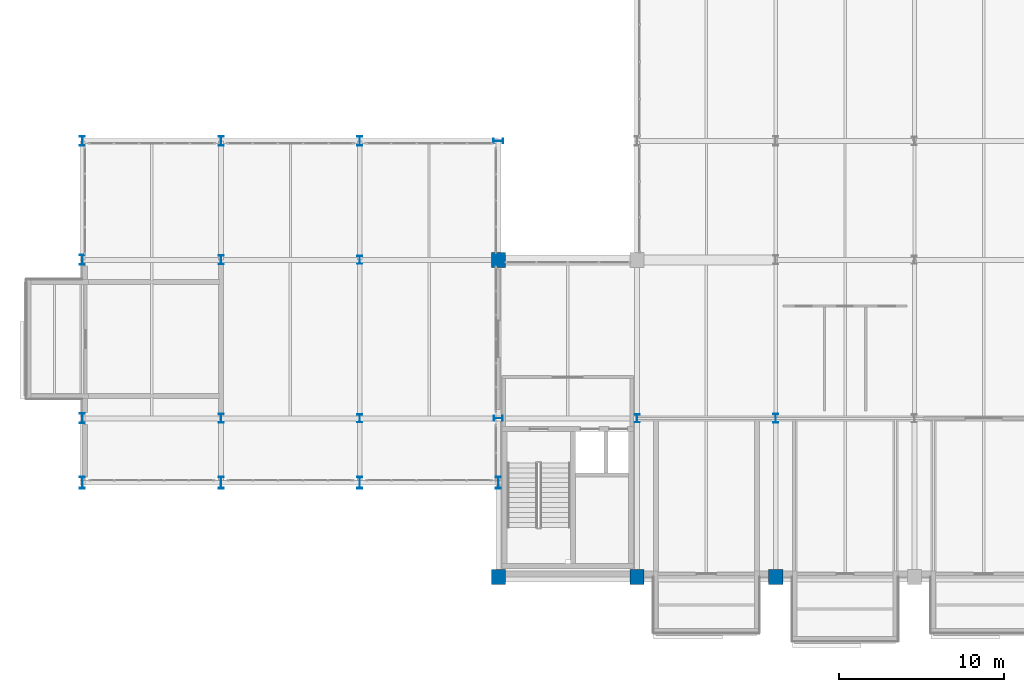
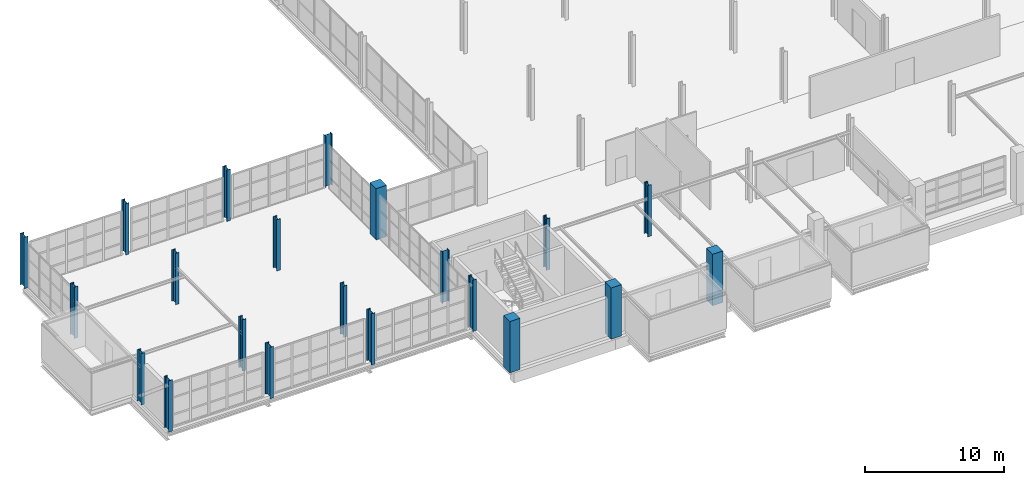
# One storey, part 1 of 109: 21 columns.
"""IFC4 building model written with IfcOpenShell, lengths in metres."""

from ifc_helpers import new_model, si_unit, direction, frame, origin, origin_2d, place, context, subcontext, project, spatial, rectangle, i_section, extrude, material, material_profile, profile_set, type_object, element, save


model = new_model("IFC4")

# Units and contexts
model_context = context("Model", 3, precision=1e-05, world=origin(), true_north=direction((0.0, 1.0)))
body_context = subcontext(model_context, "Body", "Model", "MODEL_VIEW")
ifc_project = project(units=[si_unit("LENGTHUNIT", "METRE"), si_unit("AREAUNIT", "SQUARE_METRE"), si_unit("VOLUMEUNIT", "CUBIC_METRE"), si_unit("PLANEANGLEUNIT", "RADIAN"), si_unit("MASSUNIT", "GRAM", prefix="KILO")], contexts=[model_context])

# Site, building, storey
site_placement = place(None, origin())
site = spatial("IfcSite", under=ifc_project, at=site_placement, CompositionType="ELEMENT")
building_placement = place(site_placement, origin())
building = spatial("IfcBuilding", under=site, at=building_placement, Name="Veltarok Museum of Natural Sciences", CompositionType="ELEMENT")
storey_placement = place(building_placement, frame((0.0, 0.0, 17.39990234375)))
storey = spatial("IfcBuildingStorey", under=building, at=storey_placement, Name="L03", CompositionType="ELEMENT", Elevation=17.39990234375)

# Columns
ifc_material_1 = material(Name="Concrete C40/50", Category="concrete")
ifc_material_profile_1 = material_profile(ifc_material_1, rectangle(XDim=0.85009765625, YDim=0.89990234375, at=origin_2d()), Name="RC 850x900")
ifc_profile_set_1 = profile_set([ifc_material_profile_1], Name="Concrete C40/50")
column_type_1 = type_object("IfcColumnType", Name="Exposed Cabinet Grid Column RC 850x900", PredefinedType="COLUMN", material=ifc_profile_set_1)
for number, where, z_axis, x_axis, name in (
    (1, (31.60009765625, 0.0, 0.0), (0.0, 0.0, 1.0), (1.0, 0.0, 0.0), "Column COL-CAB01 L03 4/A"),
    (2, (31.60009765625, 19.199951171875, 0.0), (0.0, 0.0, 1.0), (1.0, 0.0, 0.0), "Column COL-CAB01 L03 4/C"),
    (3, (40.0, 0.0, 0.0), (0.0, 0.0, 1.0), (1.0, 0.0, 0.0), "Column COL-CAB01 L03 5/A"),
    (4, (48.39990234375, 0.0, 0.0), (0.0, 0.0, 1.0), (1.0, 0.0, 0.0), "Column COL-CAB01 L03 6/A"),
):
    element("IfcColumn", number, at=place(storey_placement, frame(where, z_axis=z_axis, x_axis=x_axis)), inside=storey, type_object=column_type_1, Name=name, PredefinedType="COLUMN", context=body_context, shape_type="SweptSolid", body=[
        extrude(rectangle(XDim=0.85009765625, YDim=0.89990234375, at=origin_2d()), origin(), (0.0, 0.0, 1.0), 4.5),
    ])
ifc_material_2 = material(Name="Steel S355J2", Category="steel")
ifc_material_profile_2 = material_profile(ifc_material_2, i_section(OverallWidth=0.300048828125, OverallDepth=0.550048828125, WebThickness=0.014892578125, FlangeThickness=0.029052734375, FilletRadius=0.027099609375, at=origin_2d()), Name="HEB 550")
ifc_profile_set_2 = profile_set([ifc_material_profile_2], Name="Steel S355J2")
column_type_2 = type_object("IfcColumnType", Name="Mid-Rise Hall Column HEB 550", PredefinedType="COLUMN", material=ifc_profile_set_2)
for number, where, z_axis, x_axis, name in (
    (5, (14.800048828125, 9.60009765625, 0.0), (0.0, 0.0, 1.0), (1.0, 0.0, 0.0), "Column COL-S10 L03 2/B"),
    (6, (14.800048828125, 19.199951171875, 0.0), (0.0, 0.0, 1.0), (1.0, 0.0, 0.0), "Column COL-S10 L03 2/C"),
    (7, (31.60009765625, 9.60009765625, 0.0), (0.0, 0.0, 1.0), (0.0, 1.0, 0.0), "Column COL-S10 L03 4/B"),
    (8, (48.39990234375, 9.60009765625, 0.0), (0.0, 0.0, 1.0), (1.0, 0.0, 0.0), "Column COL-S10 L03 6/B"),
):
    element("IfcColumn", number, at=place(storey_placement, frame(where, z_axis=z_axis, x_axis=x_axis)), inside=storey, type_object=column_type_2, Name=name, PredefinedType="COLUMN", context=body_context, shape_type="SweptSolid", body=[
        extrude(i_section(OverallWidth=0.300048828125, OverallDepth=0.550048828125, WebThickness=0.014892578125, FlangeThickness=0.029052734375, FilletRadius=0.027099609375, at=origin_2d()), origin(), (0.0, 0.0, 1.0), 4.5),
    ])
ifc_material_profile_3 = material_profile(ifc_material_2, i_section(OverallWidth=0.300048828125, OverallDepth=0.60009765625, WebThickness=0.015380859375, FlangeThickness=0.030029296875, FilletRadius=0.027099609375, at=origin_2d()), Name="HEB 600")
ifc_profile_set_3 = profile_set([ifc_material_profile_3], Name="Steel S355J2")
column_type_3 = type_object("IfcColumnType", Name="Perimeter Passage Column HEB 600", PredefinedType="COLUMN", material=ifc_profile_set_3)
for number, where, z_axis, x_axis, name in (
    (9, (6.39990234375, 9.60009765625, 0.0), (0.0, 0.0, 1.0), (1.0, 0.0, 0.0), "Column COL-EXT02 L03 1/B"),
    (10, (6.39990234375, 19.199951171875, 0.0), (0.0, 0.0, 1.0), (1.0, 0.0, 0.0), "Column COL-EXT02 L03 1/C"),
    (11, (6.39990234375, 26.39990234375, 0.0), (0.0, 0.0, 1.0), (1.0, 0.0, 0.0), "Column COL-EXT02 L03 1/D"),
    (12, (14.800048828125, 26.39990234375, 0.0), (0.0, 0.0, 1.0), (1.0, 0.0, 0.0), "Column COL-EXT02 L03 2/D"),
    (13, (23.199951171875, 26.39990234375, 0.0), (0.0, 0.0, 1.0), (1.0, 0.0, 0.0), "Column COL-EXT02 L03 3/D"),
    (14, (31.60009765625, 26.39990234375, 0.0), (0.0, 0.0, 1.0), (0.0, 1.0, 0.0), "Column COL-EXT02 L03 4/D"),
):
    element("IfcColumn", number, at=place(storey_placement, frame(where, z_axis=z_axis, x_axis=x_axis)), inside=storey, type_object=column_type_3, Name=name, PredefinedType="COLUMN", context=body_context, shape_type="SweptSolid", body=[
        extrude(i_section(OverallWidth=0.300048828125, OverallDepth=0.60009765625, WebThickness=0.015380859375, FlangeThickness=0.030029296875, FilletRadius=0.027099609375, at=origin_2d()), origin(), (0.0, 0.0, 1.0), 4.5),
    ])
ifc_material_profile_4 = material_profile(ifc_material_2, i_section(OverallWidth=0.300048828125, OverallDepth=0.699951171875, WebThickness=0.01708984375, FlangeThickness=0.031982421875, FilletRadius=0.027099609375, at=origin_2d()), Name="HEB 700")
ifc_profile_set_4 = profile_set([ifc_material_profile_4], Name="Steel S355J2")
column_type_4 = type_object("IfcColumnType", Name="Perimeter Steel Column HEB 700", PredefinedType="COLUMN", material=ifc_profile_set_4)
for number, where, z_axis, x_axis, name in (
    (15, (6.39990234375, 5.699951171875, 0.0), (0.0, 0.0, 1.0), (1.0, 0.0, 0.0), "Bridge South Pier L03 1"),
    (16, (14.800048828125, 5.699951171875, 0.0), (0.0, 0.0, 1.0), (1.0, 0.0, 0.0), "Bridge South Pier L03 2"),
    (17, (23.199951171875, 5.699951171875, 0.0), (0.0, 0.0, 1.0), (1.0, 0.0, 0.0), "Bridge South Pier L03 3"),
    (18, (31.60009765625, 5.699951171875, 0.0), (0.0, 0.0, 1.0), (1.0, 0.0, 0.0), "Bridge South Pier L03 4"),
):
    element("IfcColumn", number, at=place(storey_placement, frame(where, z_axis=z_axis, x_axis=x_axis)), inside=storey, type_object=column_type_4, Name=name, PredefinedType="COLUMN", context=body_context, shape_type="SweptSolid", body=[
        extrude(i_section(OverallWidth=0.300048828125, OverallDepth=0.699951171875, WebThickness=0.01708984375, FlangeThickness=0.031982421875, FilletRadius=0.027099609375, at=origin_2d()), origin(), (0.0, 0.0, 1.0), 4.5),
    ])
ifc_material_profile_5 = material_profile(ifc_material_2, i_section(OverallWidth=0.300048828125, OverallDepth=0.5, WebThickness=0.014404296875, FlangeThickness=0.028076171875, FilletRadius=0.027099609375, at=origin_2d()), Name="HEB 500")
ifc_profile_set_5 = profile_set([ifc_material_profile_5], Name="Steel S355J2")
column_type_5 = type_object("IfcColumnType", Name="Upper Gallery Column HEB 500", PredefinedType="COLUMN", material=ifc_profile_set_5)
for number, where, z_axis, x_axis, name in (
    (19, (23.199951171875, 9.60009765625, 0.0), (0.0, 0.0, 1.0), (1.0, 0.0, 0.0), "Column COL-S05 L03 3/B"),
    (20, (23.199951171875, 19.199951171875, 0.0), (0.0, 0.0, 1.0), (1.0, 0.0, 0.0), "Column COL-S05 L03 3/C"),
    (21, (40.0, 9.60009765625, 0.0), (0.0, 0.0, 1.0), (1.0, 0.0, 0.0), "Column COL-S05 L03 5/B"),
):
    element("IfcColumn", number, at=place(storey_placement, frame(where, z_axis=z_axis, x_axis=x_axis)), inside=storey, type_object=column_type_5, Name=name, PredefinedType="COLUMN", context=body_context, shape_type="SweptSolid", body=[
        extrude(i_section(OverallWidth=0.300048828125, OverallDepth=0.5, WebThickness=0.014404296875, FlangeThickness=0.028076171875, FilletRadius=0.027099609375, at=origin_2d()), origin(), (0.0, 0.0, 1.0), 4.5),
    ])

save(model, "model.ifc")
